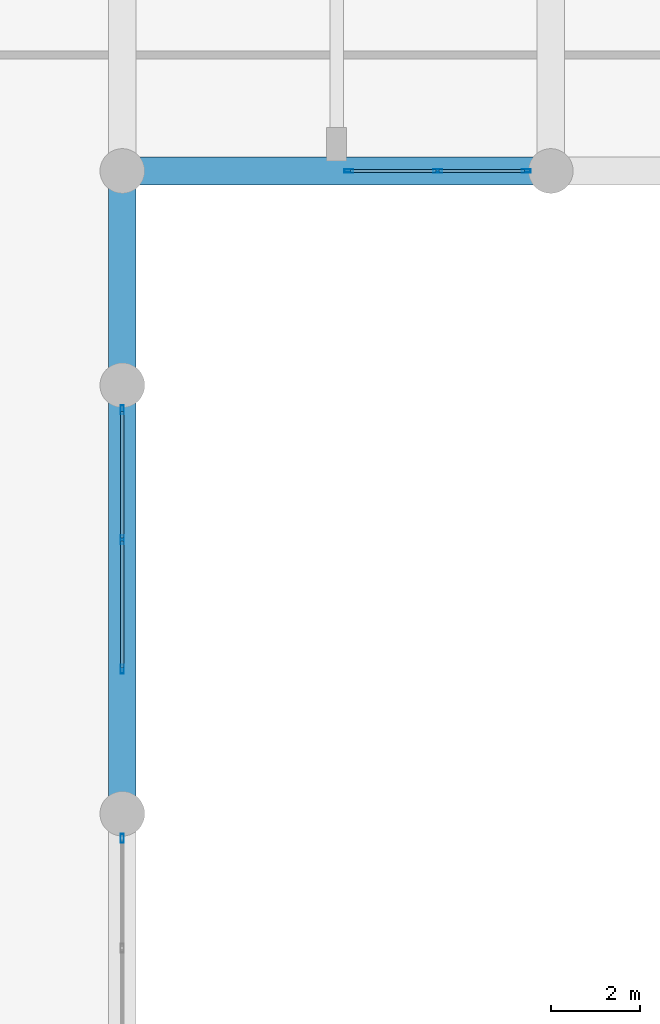
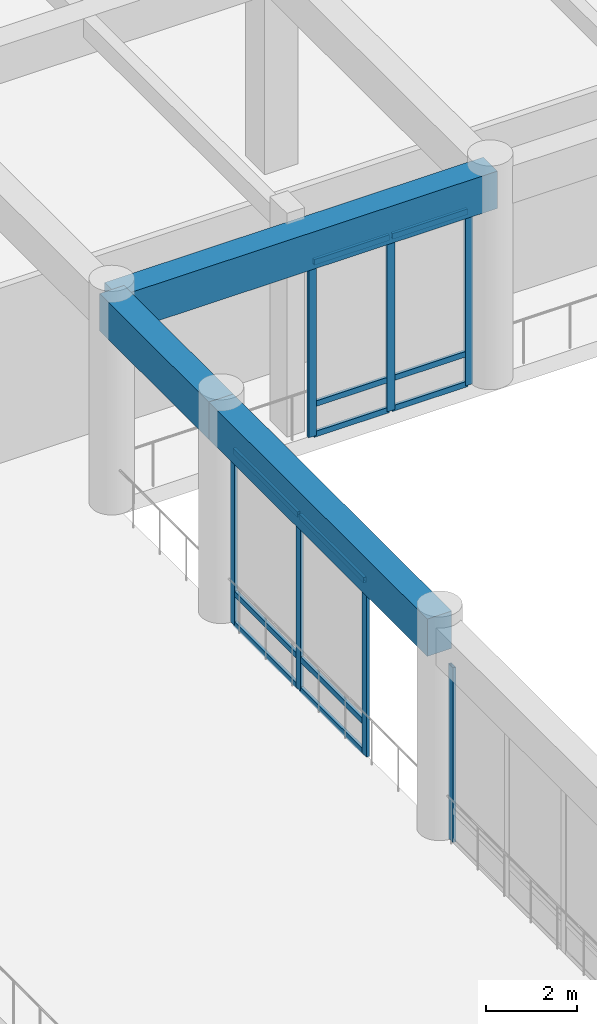
# One storey, part 28 of 87: 19 members, 3 beams, 3 elements without a shape of their own.
"""IFC4 building model written with IfcOpenShell, lengths in metres."""

from ifc_helpers import new_model, si_unit, direction, frame, origin, origin_2d, place, context, subcontext, project, spatial, rectangle, hollow_rectangle, extrude, material, layer, layer_set, material_profile, profile_set, type_object, element, aggregate, save


model = new_model("IFC4")

# Units and contexts
model_context = context("Model", 3, precision=1e-05, world=origin(), true_north=direction((0.0, 1.0)))
body_context = subcontext(model_context, "Body", "Model", "MODEL_VIEW")
ifc_project = project(units=[si_unit("LENGTHUNIT", "METRE"), si_unit("AREAUNIT", "SQUARE_METRE"), si_unit("VOLUMEUNIT", "CUBIC_METRE"), si_unit("PLANEANGLEUNIT", "RADIAN"), si_unit("MASSUNIT", "GRAM", prefix="KILO")], contexts=[model_context])

# Site, building, storey
site_placement = place(None, origin())
site = spatial("IfcSite", under=ifc_project, at=site_placement, CompositionType="ELEMENT")
building_placement = place(site_placement, origin())
building = spatial("IfcBuilding", under=site, at=building_placement, Name="Nakhvara Creek Congress Hotel", CompositionType="ELEMENT")
storey_placement = place(building_placement, origin())
storey = spatial("IfcBuildingStorey", under=building, at=storey_placement, Name="L00", CompositionType="ELEMENT", Elevation=0.0)

# Beams
ifc_material_1 = material(Name="Concrete C50/60", Category="concrete")
ifc_material_profile_1 = material_profile(ifc_material_1, rectangle(XDim=0.6201171875, YDim=1.0, at=origin_2d()), Name="RC-BM 620x1000", Category="LoadBearing")
ifc_profile_set_1 = profile_set([ifc_material_profile_1], Name="Concrete C50/60")
beam_type = type_object("IfcBeamType", Name="BM-RC-620X1000", PredefinedType="BEAM", material=ifc_profile_set_1)
beam_1_placement = place(storey_placement, frame((76.800048828125, 62.39990234375, 5.199951171875), z_axis=(0.0, 1.0, 0.0), x_axis=(-1.0, 0.0, 0.0)))
element("IfcBeam", 1, at=beam_1_placement, inside=storey, type_object=beam_type, Name="Beam B16-L00-0822", PredefinedType="BEAM", context=body_context, shape_type="SweptSolid", body=[
    extrude(rectangle(XDim=0.6201171875, YDim=1.0, at=origin_2d()), origin(), (0.0, 0.0, 1.0), 9.60009765625),
])
beam_2_placement = place(storey_placement, frame((76.800048828125, 72.0, 5.199951171875), z_axis=(0.0, 1.0, 0.0), x_axis=(-1.0, 0.0, 0.0)))
element("IfcBeam", 2, at=beam_2_placement, inside=storey, type_object=beam_type, Name="Beam B16-L00-0823", PredefinedType="BEAM", context=body_context, shape_type="SweptSolid", body=[
    extrude(rectangle(XDim=0.6201171875, YDim=1.0, at=origin_2d()), origin(), (0.0, 0.0, 1.0), 4.800048828125),
])
beam_3_placement = place(storey_placement, frame((76.800048828125, 76.800048828125, 5.199951171875), z_axis=(1.0, 0.0, 0.0), x_axis=(0.0, 1.0, 0.0)))
element("IfcBeam", 3, at=beam_3_placement, inside=storey, type_object=beam_type, Name="Beam B16-L00-0825", PredefinedType="BEAM", context=body_context, shape_type="SweptSolid", body=[
    extrude(rectangle(XDim=0.6201171875, YDim=1.0, at=origin_2d()), origin(), (0.0, 0.0, 1.0), 9.599853515625),
])

# Curtain wall, members
ifc_material_2 = material(Name="Bronze-anodised aluminium AW-6063-T6 and double-silver low-E glass", Category="aluminium")
ifc_layer = layer(ifc_material_2, 0.199951171875)
ifc_layer_set = layer_set([ifc_layer], Name="Bronze-anodised aluminium AW-6063-T6 and double-silver low-E glass")
curtain_wall_type = type_object("IfcCurtainWallType", Name="CW-POD-STICK", PredefinedType="NOTDEFINED", material=ifc_layer_set)
curtain_wall_1_placement = place(storey_placement, origin())
curtain_wall_1 = element("IfcCurtainWall", 4, at=curtain_wall_1_placement, inside=storey, type_object=curtain_wall_type, Name="Curtain Wall CW002", PredefinedType="NOTDEFINED")
ifc_material_3 = material(Name="Bronze-anodised aluminium AW-6063-T6", Category="aluminium")
ifc_material_profile_2 = material_profile(ifc_material_3, hollow_rectangle(XDim=0.074951171875, YDim=0.199951171875, WallThickness=0.0048828125, at=origin_2d()), Name="ALU-MULL 75x200x5", Category="LoadBearing")
ifc_profile_set_2 = profile_set([ifc_material_profile_2], Name="Bronze-anodised aluminium AW-6063-T6")
member_type_1 = type_object("IfcMemberType", Name="CW-MULL-200", PredefinedType="MULLION", material=ifc_profile_set_2)
member_1_placement = place(storey_placement, frame((85.847412109375, 76.800048828125, 0.0), z_axis=(0.0, 0.0, 1.0), x_axis=(0.0, -1.0, 0.0)))
member_1 = element("IfcMember", 5, at=member_1_placement, type_object=member_type_1, Name="CW002 mullion 1", PredefinedType="MULLION", context=body_context, shape_type="SweptSolid", body=[
    extrude(hollow_rectangle(XDim=0.074951171875, YDim=0.199951171875, WallThickness=0.0048828125, at=origin_2d()), origin(), (0.0, 0.0, 1.0), 4.69189453125),
])
member_2_placement = place(storey_placement, frame((83.862548828125, 76.800048828125, 0.0), z_axis=(0.0, 0.0, 1.0), x_axis=(0.0, -1.0, 0.0)))
member_2 = element("IfcMember", 6, at=member_2_placement, type_object=member_type_1, Name="CW002 mullion 2", PredefinedType="MULLION", context=body_context, shape_type="SweptSolid", body=[
    extrude(hollow_rectangle(XDim=0.074951171875, YDim=0.199951171875, WallThickness=0.0048828125, at=origin_2d()), origin(), (0.0, 0.0, 1.0), 4.69189453125),
])
member_3_placement = place(storey_placement, frame((81.87744140625, 76.800048828125, 0.0), z_axis=(0.0, 0.0, 1.0), x_axis=(0.0, -1.0, 0.0)))
member_3 = element("IfcMember", 7, at=member_3_placement, type_object=member_type_1, Name="CW002 mullion 3", PredefinedType="MULLION", context=body_context, shape_type="SweptSolid", body=[
    extrude(hollow_rectangle(XDim=0.074951171875, YDim=0.199951171875, WallThickness=0.0048828125, at=origin_2d()), origin(), (0.0, 0.0, 1.0), 4.69189453125),
])

# Curtain wall, member
curtain_wall_2_placement = place(storey_placement, origin())
curtain_wall_2 = element("IfcCurtainWall", 8, at=curtain_wall_2_placement, inside=storey, type_object=curtain_wall_type, Name="Curtain Wall CW013", PredefinedType="NOTDEFINED")
member_4_placement = place(storey_placement, frame((76.800048828125, 61.847412109375, 0.0), z_axis=(0.0, 0.0, 1.0), x_axis=(1.0, 0.0, 0.0)))
member_4 = element("IfcMember", 9, at=member_4_placement, type_object=member_type_1, Name="CW013 mullion 1", PredefinedType="MULLION", context=body_context, shape_type="SweptSolid", body=[
    extrude(hollow_rectangle(XDim=0.074951171875, YDim=0.199951171875, WallThickness=0.0048828125, at=origin_2d()), origin(), (0.0, 0.0, 1.0), 4.69189453125),
])
aggregate(curtain_wall_2, [member_4])

# Curtain wall, members
curtain_wall_3_placement = place(storey_placement, origin())
curtain_wall_3 = element("IfcCurtainWall", 10, at=curtain_wall_3_placement, inside=storey, type_object=curtain_wall_type, Name="Curtain Wall CW015", PredefinedType="NOTDEFINED")
member_5_placement = place(storey_placement, frame((76.800048828125, 71.447509765625, 0.0), z_axis=(0.0, 0.0, 1.0), x_axis=(1.0, 0.0, 0.0)))
member_5 = element("IfcMember", 11, at=member_5_placement, type_object=member_type_1, Name="CW015 mullion 1", PredefinedType="MULLION", context=body_context, shape_type="SweptSolid", body=[
    extrude(hollow_rectangle(XDim=0.074951171875, YDim=0.199951171875, WallThickness=0.0048828125, at=origin_2d()), origin(), (0.0, 0.0, 1.0), 4.69189453125),
])
member_6_placement = place(storey_placement, frame((76.800048828125, 68.54248046875, 0.0), z_axis=(0.0, 0.0, 1.0), x_axis=(1.0, 0.0, 0.0)))
member_6 = element("IfcMember", 12, at=member_6_placement, type_object=member_type_1, Name="CW015 mullion 2", PredefinedType="MULLION", context=body_context, shape_type="SweptSolid", body=[
    extrude(hollow_rectangle(XDim=0.074951171875, YDim=0.199951171875, WallThickness=0.0048828125, at=origin_2d()), origin(), (0.0, 0.0, 1.0), 4.69189453125),
])
member_7_placement = place(storey_placement, frame((76.800048828125, 65.637451171875, 0.0), z_axis=(0.0, 0.0, 1.0), x_axis=(1.0, 0.0, 0.0)))
member_7 = element("IfcMember", 13, at=member_7_placement, type_object=member_type_1, Name="CW015 mullion 3", PredefinedType="MULLION", context=body_context, shape_type="SweptSolid", body=[
    extrude(hollow_rectangle(XDim=0.074951171875, YDim=0.199951171875, WallThickness=0.0048828125, at=origin_2d()), origin(), (0.0, 0.0, 1.0), 4.69189453125),
])

# Member
ifc_material_profile_3 = material_profile(ifc_material_3, hollow_rectangle(XDim=0.074951171875, YDim=0.14990234375, WallThickness=0.00390625, at=origin_2d()), Name="ALU-TRAN 75x150x4", Category="LoadBearing")
ifc_profile_set_3 = profile_set([ifc_material_profile_3], Name="Bronze-anodised aluminium AW-6063-T6")
member_type_2 = type_object("IfcMemberType", Name="CW-TRAN-150", PredefinedType="USERDEFINED", material=ifc_profile_set_3)
member_8_placement = place(storey_placement, frame((85.81005859375, 76.800048828125, 0.03759765625), z_axis=(-1.0, 0.0, 0.0), x_axis=(0.0, -1.0, 0.0)))
member_8 = element("IfcMember", 14, at=member_8_placement, type_object=member_type_2, Name="CW002 transom 1.1", ObjectType="TRANSOM", PredefinedType="USERDEFINED", context=body_context, shape_type="SweptSolid", body=[
    extrude(hollow_rectangle(XDim=0.074951171875, YDim=0.14990234375, WallThickness=0.00390625, at=origin_2d()), origin(), (0.0, 0.0, 1.0), 1.91015625),
])

member_9_placement = place(storey_placement, frame((85.81005859375, 76.800048828125, 0.85009765625), z_axis=(-1.0, 0.0, 0.0), x_axis=(0.0, -1.0, 0.0)))
member_9 = element("IfcMember", 15, at=member_9_placement, type_object=member_type_2, Name="CW002 transom 1.2", ObjectType="TRANSOM", PredefinedType="USERDEFINED", context=body_context, shape_type="SweptSolid", body=[
    extrude(hollow_rectangle(XDim=0.074951171875, YDim=0.14990234375, WallThickness=0.00390625, at=origin_2d()), origin(), (0.0, 0.0, 1.0), 1.91015625),
])

member_10_placement = place(storey_placement, frame((85.81005859375, 76.800048828125, 4.654541015625), z_axis=(-1.0, 0.0, 0.0), x_axis=(0.0, -1.0, 0.0)))
member_10 = element("IfcMember", 16, at=member_10_placement, type_object=member_type_2, Name="CW002 transom 1.3", ObjectType="TRANSOM", PredefinedType="USERDEFINED", context=body_context, shape_type="SweptSolid", body=[
    extrude(hollow_rectangle(XDim=0.074951171875, YDim=0.14990234375, WallThickness=0.00390625, at=origin_2d()), origin(), (0.0, 0.0, 1.0), 1.91015625),
])

member_11_placement = place(storey_placement, frame((83.824951171875, 76.800048828125, 0.03759765625), z_axis=(-1.0, 0.0, 0.0), x_axis=(0.0, -1.0, 0.0)))
member_11 = element("IfcMember", 17, at=member_11_placement, type_object=member_type_2, Name="CW002 transom 2.1", ObjectType="TRANSOM", PredefinedType="USERDEFINED", context=body_context, shape_type="SweptSolid", body=[
    extrude(hollow_rectangle(XDim=0.074951171875, YDim=0.14990234375, WallThickness=0.00390625, at=origin_2d()), origin(), (0.0, 0.0, 1.0), 1.909912109375),
])

member_12_placement = place(storey_placement, frame((83.824951171875, 76.800048828125, 0.85009765625), z_axis=(-1.0, 0.0, 0.0), x_axis=(0.0, -1.0, 0.0)))
member_12 = element("IfcMember", 18, at=member_12_placement, type_object=member_type_2, Name="CW002 transom 2.2", ObjectType="TRANSOM", PredefinedType="USERDEFINED", context=body_context, shape_type="SweptSolid", body=[
    extrude(hollow_rectangle(XDim=0.074951171875, YDim=0.14990234375, WallThickness=0.00390625, at=origin_2d()), origin(), (0.0, 0.0, 1.0), 1.909912109375),
])

member_13_placement = place(storey_placement, frame((83.824951171875, 76.800048828125, 4.654541015625), z_axis=(-1.0, 0.0, 0.0), x_axis=(0.0, -1.0, 0.0)))
member_13 = element("IfcMember", 19, at=member_13_placement, type_object=member_type_2, Name="CW002 transom 2.3", ObjectType="TRANSOM", PredefinedType="USERDEFINED", context=body_context, shape_type="SweptSolid", body=[
    extrude(hollow_rectangle(XDim=0.074951171875, YDim=0.14990234375, WallThickness=0.00390625, at=origin_2d()), origin(), (0.0, 0.0, 1.0), 1.909912109375),
])

aggregate(curtain_wall_1, [member_1, member_2, member_3, member_8, member_9, member_10, member_11, member_12, member_13])

member_14_placement = place(storey_placement, frame((76.800048828125, 71.409912109375, 0.03759765625), z_axis=(0.0, -1.0, 0.0), x_axis=(1.0, 0.0, 0.0)))
member_14 = element("IfcMember", 20, at=member_14_placement, type_object=member_type_2, Name="CW015 transom 1.1", ObjectType="TRANSOM", PredefinedType="USERDEFINED", context=body_context, shape_type="SweptSolid", body=[
    extrude(hollow_rectangle(XDim=0.074951171875, YDim=0.14990234375, WallThickness=0.00390625, at=origin_2d()), origin(), (0.0, 0.0, 1.0), 2.829833984375),
])

member_15_placement = place(storey_placement, frame((76.800048828125, 71.409912109375, 0.85009765625), z_axis=(0.0, -1.0, 0.0), x_axis=(1.0, 0.0, 0.0)))
member_15 = element("IfcMember", 21, at=member_15_placement, type_object=member_type_2, Name="CW015 transom 1.2", ObjectType="TRANSOM", PredefinedType="USERDEFINED", context=body_context, shape_type="SweptSolid", body=[
    extrude(hollow_rectangle(XDim=0.074951171875, YDim=0.14990234375, WallThickness=0.00390625, at=origin_2d()), origin(), (0.0, 0.0, 1.0), 2.829833984375),
])

member_16_placement = place(storey_placement, frame((76.800048828125, 71.409912109375, 4.654541015625), z_axis=(0.0, -1.0, 0.0), x_axis=(1.0, 0.0, 0.0)))
member_16 = element("IfcMember", 22, at=member_16_placement, type_object=member_type_2, Name="CW015 transom 1.3", ObjectType="TRANSOM", PredefinedType="USERDEFINED", context=body_context, shape_type="SweptSolid", body=[
    extrude(hollow_rectangle(XDim=0.074951171875, YDim=0.14990234375, WallThickness=0.00390625, at=origin_2d()), origin(), (0.0, 0.0, 1.0), 2.829833984375),
])

member_17_placement = place(storey_placement, frame((76.800048828125, 68.5048828125, 0.03759765625), z_axis=(0.0, -1.0, 0.0), x_axis=(1.0, 0.0, 0.0)))
member_17 = element("IfcMember", 23, at=member_17_placement, type_object=member_type_2, Name="CW015 transom 2.1", ObjectType="TRANSOM", PredefinedType="USERDEFINED", context=body_context, shape_type="SweptSolid", body=[
    extrude(hollow_rectangle(XDim=0.074951171875, YDim=0.14990234375, WallThickness=0.00390625, at=origin_2d()), origin(), (0.0, 0.0, 1.0), 2.829833984375),
])

member_18_placement = place(storey_placement, frame((76.800048828125, 68.5048828125, 0.85009765625), z_axis=(0.0, -1.0, 0.0), x_axis=(1.0, 0.0, 0.0)))
member_18 = element("IfcMember", 24, at=member_18_placement, type_object=member_type_2, Name="CW015 transom 2.2", ObjectType="TRANSOM", PredefinedType="USERDEFINED", context=body_context, shape_type="SweptSolid", body=[
    extrude(hollow_rectangle(XDim=0.074951171875, YDim=0.14990234375, WallThickness=0.00390625, at=origin_2d()), origin(), (0.0, 0.0, 1.0), 2.829833984375),
])

member_19_placement = place(storey_placement, frame((76.800048828125, 68.5048828125, 4.654541015625), z_axis=(0.0, -1.0, 0.0), x_axis=(1.0, 0.0, 0.0)))
member_19 = element("IfcMember", 25, at=member_19_placement, type_object=member_type_2, Name="CW015 transom 2.3", ObjectType="TRANSOM", PredefinedType="USERDEFINED", context=body_context, shape_type="SweptSolid", body=[
    extrude(hollow_rectangle(XDim=0.074951171875, YDim=0.14990234375, WallThickness=0.00390625, at=origin_2d()), origin(), (0.0, 0.0, 1.0), 2.829833984375),
])

aggregate(curtain_wall_3, [member_5, member_6, member_7, member_14, member_15, member_16, member_17, member_18, member_19])

save(model, "model.ifc")
